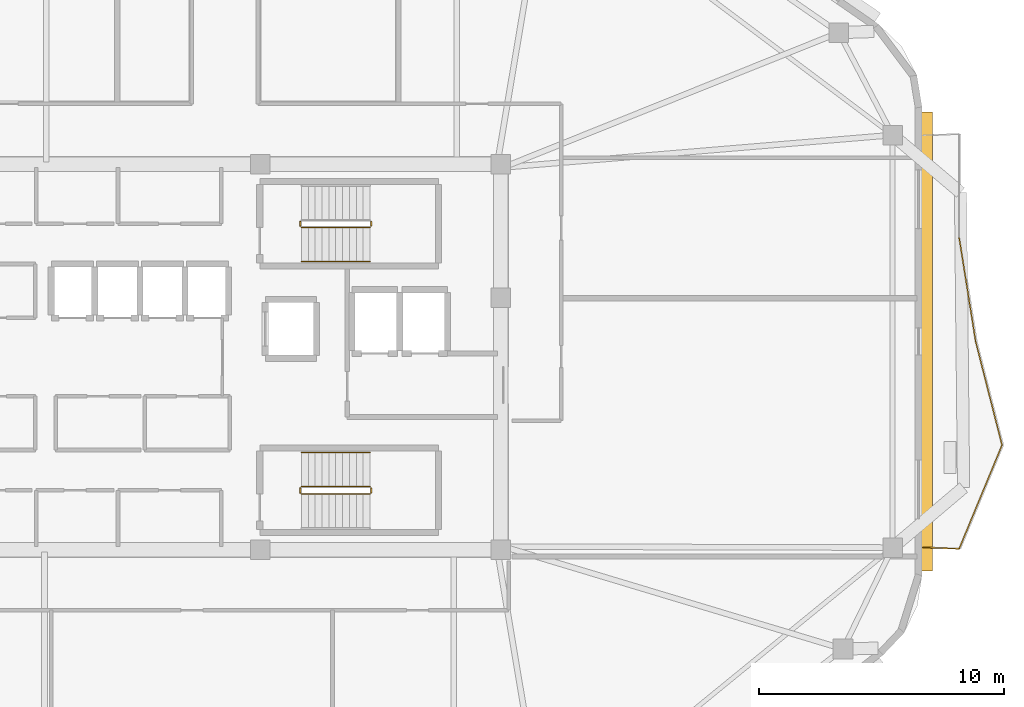
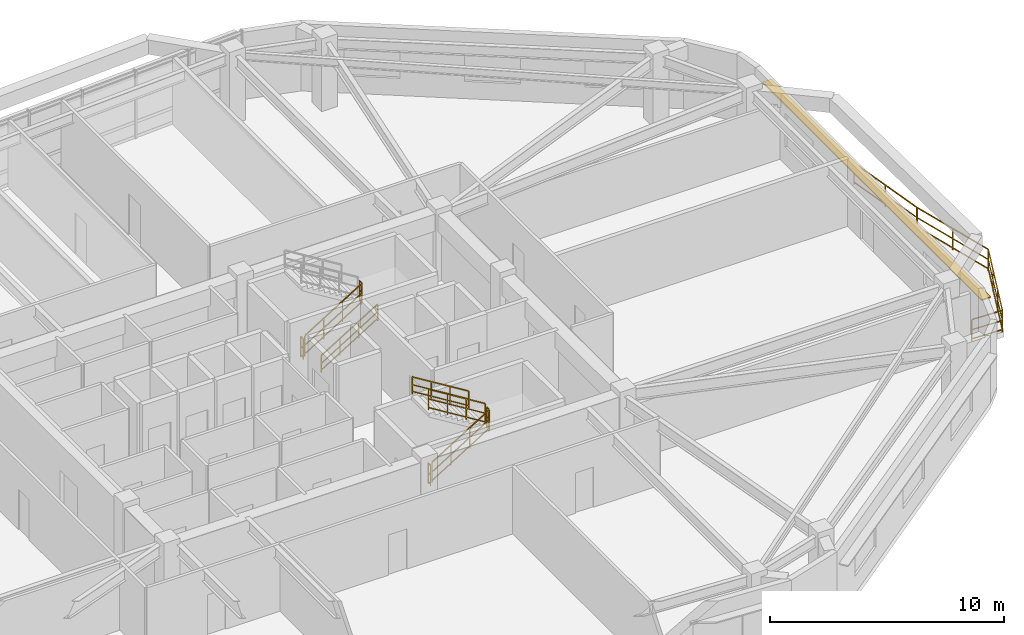
# One storey, part 11 of 12: 13 railings, 1 shading device.
"""IFC4 building model written with IfcOpenShell, lengths in metres."""

from ifc_helpers import new_model, si_unit, direction, frame, origin, origin_2d, place, context, subcontext, project, spatial, rectangle, extrude, material, layer, layer_set, type_object, element, save


model = new_model("IFC4")

# Units and contexts
model_context = context("Model", 3, precision=1e-05, world=origin(), true_north=direction((0.0, 1.0)))
body_context = subcontext(model_context, "Body", "Model", "MODEL_VIEW")
ifc_project = project(units=[si_unit("LENGTHUNIT", "METRE"), si_unit("AREAUNIT", "SQUARE_METRE"), si_unit("VOLUMEUNIT", "CUBIC_METRE"), si_unit("PLANEANGLEUNIT", "RADIAN"), si_unit("MASSUNIT", "GRAM", prefix="KILO")], contexts=[model_context])

# Site, building, storey
site_placement = place(None, origin())
site = spatial("IfcSite", under=ifc_project, at=site_placement, CompositionType="ELEMENT")
building_placement = place(site_placement, origin())
building = spatial("IfcBuilding", under=site, at=building_placement, Name="Zulverin Broadcast Headquarters", CompositionType="ELEMENT")
storey_placement = place(building_placement, frame((0.0, 0.0, 240.199951171875)))
storey = spatial("IfcBuildingStorey", under=building, at=storey_placement, Name="L61", CompositionType="ELEMENT", Elevation=240.199951171875)

# Railings
ifc_material_1 = material(Name="Brushed stainless steel & laminated glass balustrade", Category="steel")
railing_type_1 = type_object("IfcRailingType", Name="RL-GUARD-1150", PredefinedType="GUARDRAIL", material=ifc_material_1)
railing_1_placement = place(storey_placement, frame((65.5400390625, 17.417724609375, 0.0)))
element("IfcRailing", 1, at=railing_1_placement, inside=storey, type_object=railing_type_1, Name="L61 Vertical-Forest Balcony Guardrail BAL_E Segment 01", PredefinedType="GUARDRAIL", context=body_context, shape_type="SweptSolid", body=[
    extrude(rectangle(XDim=0.048095703125, YDim=0.048095703125, at=origin_2d()), frame((0.0, 0.0, 1.1259765625), z_axis=(0.99918088253, -0.040466825742, 0.0), x_axis=(0.040466825742, 0.99918088253, 0.0)), (0.0, 0.0, 1.0), 1.466064453125),
    extrude(rectangle(XDim=0.0419921875, YDim=0.0419921875, at=origin_2d()), frame((0.0, 0.0, 0.597900390625), z_axis=(0.99918088253, -0.040466825742, 0.0), x_axis=(0.040466825742, 0.99918088253, 0.0)), (0.0, 0.0, 1.0), 1.466064453125),
    extrude(rectangle(XDim=0.0419921875, YDim=0.0419921875, at=origin_2d()), frame((0.0, 0.0, 0.1201171875), z_axis=(0.99918088253, -0.040466825742, 0.0), x_axis=(0.040466825742, 0.99918088253, 0.0)), (0.0, 0.0, 1.0), 1.466064453125),
    extrude(rectangle(XDim=0.0419921875, YDim=0.0419921875, at=origin_2d()), origin(), (0.0, 0.0, 1.0), 1.101806640625),
    extrude(rectangle(XDim=0.0419921875, YDim=0.0419921875, at=origin_2d()), frame((1.46484375, -0.059326171875, 0.0)), (0.0, 0.0, 1.0), 1.101806640625),
])
railing_2_placement = place(storey_placement, frame((67.025634765625, 17.37158203125, 0.0)))
element("IfcRailing", 2, at=railing_2_placement, inside=storey, type_object=railing_type_1, Name="L61 Vertical-Forest Balcony Guardrail BAL_E Segment 02", PredefinedType="GUARDRAIL", context=body_context, shape_type="SweptSolid", body=[
    extrude(rectangle(XDim=0.048095703125, YDim=0.048095703125, at=origin_2d()), frame((0.0, 0.0, 1.1259765625), z_axis=(0.382146875337, 0.924101599214, 0.0), x_axis=(-0.924101599214, 0.382146875337, 0.0)), (0.0, 0.0, 1.0), 4.560302734375),
    extrude(rectangle(XDim=0.0419921875, YDim=0.0419921875, at=origin_2d()), frame((0.0, 0.0, 0.597900390625), z_axis=(0.382146875337, 0.924101599214, 0.0), x_axis=(-0.924101599214, 0.382146875337, 0.0)), (0.0, 0.0, 1.0), 4.560302734375),
    extrude(rectangle(XDim=0.0419921875, YDim=0.0419921875, at=origin_2d()), frame((0.0, 0.0, 0.1201171875), z_axis=(0.382146875337, 0.924101599214, 0.0), x_axis=(-0.924101599214, 0.382146875337, 0.0)), (0.0, 0.0, 1.0), 4.560302734375),
    extrude(rectangle(XDim=0.0419921875, YDim=0.0419921875, at=origin_2d()), origin(), (0.0, 0.0, 1.0), 1.101806640625),
    extrude(rectangle(XDim=0.0419921875, YDim=0.0419921875, at=origin_2d()), frame((0.580810546875, 1.40478515625, 0.0)), (0.0, 0.0, 1.0), 1.101806640625),
    extrude(rectangle(XDim=0.0419921875, YDim=0.0419921875, at=origin_2d()), frame((1.161865234375, 2.809326171875, 0.0)), (0.0, 0.0, 1.0), 1.101806640625),
    extrude(rectangle(XDim=0.0419921875, YDim=0.0419921875, at=origin_2d()), frame((1.74267578125, 4.214111328125, 0.0)), (0.0, 0.0, 1.0), 1.101806640625),
])
railing_3_placement = place(storey_placement, frame((68.770263671875, 21.6142578125, 0.0)))
element("IfcRailing", 3, at=railing_3_placement, inside=storey, type_object=railing_type_1, Name="L61 Vertical-Forest Balcony Guardrail BAL_E Segment 03", PredefinedType="GUARDRAIL", context=body_context, shape_type="SweptSolid", body=[
    extrude(rectangle(XDim=0.048095703125, YDim=0.048095703125, at=origin_2d()), frame((0.0, 0.0, 1.1259765625), z_axis=(-0.246867222297, 0.969049314821, 0.0), x_axis=(-0.969049314821, -0.246867222297, 0.0)), (0.0, 0.0, 1.0), 4.347412109375),
    extrude(rectangle(XDim=0.0419921875, YDim=0.0419921875, at=origin_2d()), frame((0.0, 0.0, 0.597900390625), z_axis=(-0.246867222297, 0.969049314821, 0.0), x_axis=(-0.969049314821, -0.246867222297, 0.0)), (0.0, 0.0, 1.0), 4.347412109375),
    extrude(rectangle(XDim=0.0419921875, YDim=0.0419921875, at=origin_2d()), frame((0.0, 0.0, 0.1201171875), z_axis=(-0.246867222297, 0.969049314821, 0.0), x_axis=(-0.969049314821, -0.246867222297, 0.0)), (0.0, 0.0, 1.0), 4.347412109375),
    extrude(rectangle(XDim=0.0419921875, YDim=0.0419921875, at=origin_2d()), origin(), (0.0, 0.0, 1.0), 1.101806640625),
    extrude(rectangle(XDim=0.0419921875, YDim=0.0419921875, at=origin_2d()), frame((-0.53662109375, 2.1064453125, 0.0)), (0.0, 0.0, 1.0), 1.101806640625),
    extrude(rectangle(XDim=0.0419921875, YDim=0.0419921875, at=origin_2d()), frame((-1.0732421875, 4.212890625, 0.0)), (0.0, 0.0, 1.0), 1.101806640625),
])
railing_4_placement = place(storey_placement, frame((67.69091796875, 25.8564453125, 0.0)))
element("IfcRailing", 4, at=railing_4_placement, inside=storey, type_object=railing_type_1, Name="L61 Vertical-Forest Balcony Guardrail BAL_E Segment 04", PredefinedType="GUARDRAIL", context=body_context, shape_type="SweptSolid", body=[
    extrude(rectangle(XDim=0.048095703125, YDim=0.048095703125, at=origin_2d()), frame((0.0, 0.0, 1.1259765625), z_axis=(-0.156726775969, 0.98764199875, 0.0), x_axis=(-0.98764199875, -0.156726775969, 0.0)), (0.0, 0.0, 1.0), 4.26513671875),
    extrude(rectangle(XDim=0.0419921875, YDim=0.0419921875, at=origin_2d()), frame((0.0, 0.0, 0.597900390625), z_axis=(-0.156726775969, 0.98764199875, 0.0), x_axis=(-0.98764199875, -0.156726775969, 0.0)), (0.0, 0.0, 1.0), 4.26513671875),
    extrude(rectangle(XDim=0.0419921875, YDim=0.0419921875, at=origin_2d()), frame((0.0, 0.0, 0.1201171875), z_axis=(-0.156726775969, 0.98764199875, 0.0), x_axis=(-0.98764199875, -0.156726775969, 0.0)), (0.0, 0.0, 1.0), 4.26513671875),
    extrude(rectangle(XDim=0.0419921875, YDim=0.0419921875, at=origin_2d()), origin(), (0.0, 0.0, 1.0), 1.101806640625),
    extrude(rectangle(XDim=0.0419921875, YDim=0.0419921875, at=origin_2d()), frame((-0.334228515625, 2.106201171875, 0.0)), (0.0, 0.0, 1.0), 1.101806640625),
    extrude(rectangle(XDim=0.0419921875, YDim=0.0419921875, at=origin_2d()), frame((-0.66845703125, 4.21240234375, 0.0)), (0.0, 0.0, 1.0), 1.101806640625),
])
ifc_material_2 = material(Name="Painted galvanized steel tubular guardrail S355JR", Category="steel")
railing_type_2 = type_object("IfcRailingType", Name="RL-ST-GUARD", PredefinedType="GUARDRAIL", material=ifc_material_2)
railing_5_placement = place(storey_placement, frame((40.1298828125, 30.5, 0.1728515625)))
element("IfcRailing", 5, at=railing_5_placement, inside=storey, type_object=railing_type_2, Name="L61 ST-1 stair guard 1", PredefinedType="GUARDRAIL", context=body_context, shape_type="SweptSolid", body=[
    extrude(rectangle(XDim=0.048095703125, YDim=0.048095703125, at=origin_2d()), frame((0.0, 0.0, 1.076171875), z_axis=(0.851089632645, 0.0, 0.525020415988), x_axis=(0.0, 1.0, 0.0)), (0.0, 0.0, 1.0), 3.2900390625),
    extrude(rectangle(XDim=0.0419921875, YDim=0.0419921875, at=origin_2d()), frame((0.0, 0.0, 0.572021484375), z_axis=(0.851089632645, 0.0, 0.525020415988), x_axis=(0.0, 1.0, 0.0)), (0.0, 0.0, 1.0), 3.2900390625),
    extrude(rectangle(XDim=0.0419921875, YDim=0.0419921875, at=origin_2d()), frame((0.0, 0.0, 0.1201171875), z_axis=(0.851089632645, 0.0, 0.525020415988), x_axis=(0.0, 1.0, 0.0)), (0.0, 0.0, 1.0), 3.2900390625),
    extrude(rectangle(XDim=0.0419921875, YDim=0.0419921875, at=origin_2d()), origin(), (0.0, 0.0, 1.0), 1.052001953125),
    extrude(rectangle(XDim=0.0419921875, YDim=0.0419921875, at=origin_2d()), frame((0.933349609375, 0.0, 0.57568359375)), (0.0, 0.0, 1.0), 1.052001953125),
    extrude(rectangle(XDim=0.0419921875, YDim=0.0419921875, at=origin_2d()), frame((1.86669921875, 0.0, 1.151611328125)), (0.0, 0.0, 1.0), 1.052001953125),
    extrude(rectangle(XDim=0.0419921875, YDim=0.0419921875, at=origin_2d()), frame((2.800048828125, 0.0, 1.727294921875)), (0.0, 0.0, 1.0), 1.052001953125),
])
for number, where, name in (
    (6, (42.97998046875, 30.550048828125, 1.900146484375), "L61 ST-1 stair guard 2"),
    (7, (40.080078125, 30.550048828125, 0.0), "L61 ST-1 stair guard 4"),
):
    element("IfcRailing", number, at=place(storey_placement, frame(where)), inside=storey, type_object=railing_type_2, Name=name, PredefinedType="GUARDRAIL", context=body_context, shape_type="SweptSolid", body=[
        extrude(rectangle(XDim=0.048095703125, YDim=0.048095703125, at=origin_2d()), frame((0.0, 0.0, 1.076171875), z_axis=(0.0, 1.0, 0.0), x_axis=(-1.0, 0.0, 0.0)), (0.0, 0.0, 1.0), 0.199951171875),
        extrude(rectangle(XDim=0.0419921875, YDim=0.0419921875, at=origin_2d()), frame((0.0, 0.0, 0.572021484375), z_axis=(0.0, 1.0, 0.0), x_axis=(-1.0, 0.0, 0.0)), (0.0, 0.0, 1.0), 0.199951171875),
        extrude(rectangle(XDim=0.0419921875, YDim=0.0419921875, at=origin_2d()), frame((0.0, 0.0, 0.1201171875), z_axis=(0.0, 1.0, 0.0), x_axis=(-1.0, 0.0, 0.0)), (0.0, 0.0, 1.0), 0.199951171875),
        extrude(rectangle(XDim=0.0419921875, YDim=0.0419921875, at=origin_2d()), origin(), (0.0, 0.0, 1.0), 1.052001953125),
        extrude(rectangle(XDim=0.0419921875, YDim=0.0419921875, at=origin_2d()), frame((0.0, 0.199951171875, 0.0)), (0.0, 0.0, 1.0), 1.052001953125),
    ])
railing_6_placement = place(storey_placement, frame((40.1298828125, 19.60009765625, 0.1728515625)))
element("IfcRailing", 8, at=railing_6_placement, inside=storey, type_object=railing_type_2, Name="L61 ST-2 stair guard 1", PredefinedType="GUARDRAIL", context=body_context, shape_type="SweptSolid", body=[
    extrude(rectangle(XDim=0.048095703125, YDim=0.048095703125, at=origin_2d()), frame((0.0, 0.0, 1.076171875), z_axis=(0.851089632645, 0.0, 0.525020415988), x_axis=(0.0, 1.0, 0.0)), (0.0, 0.0, 1.0), 3.2900390625),
    extrude(rectangle(XDim=0.0419921875, YDim=0.0419921875, at=origin_2d()), frame((0.0, 0.0, 0.572021484375), z_axis=(0.851089632645, 0.0, 0.525020415988), x_axis=(0.0, 1.0, 0.0)), (0.0, 0.0, 1.0), 3.2900390625),
    extrude(rectangle(XDim=0.0419921875, YDim=0.0419921875, at=origin_2d()), frame((0.0, 0.0, 0.1201171875), z_axis=(0.851089632645, 0.0, 0.525020415988), x_axis=(0.0, 1.0, 0.0)), (0.0, 0.0, 1.0), 3.2900390625),
    extrude(rectangle(XDim=0.0419921875, YDim=0.0419921875, at=origin_2d()), origin(), (0.0, 0.0, 1.0), 1.052001953125),
    extrude(rectangle(XDim=0.0419921875, YDim=0.0419921875, at=origin_2d()), frame((0.933349609375, 0.0, 0.57568359375)), (0.0, 0.0, 1.0), 1.052001953125),
    extrude(rectangle(XDim=0.0419921875, YDim=0.0419921875, at=origin_2d()), frame((1.86669921875, 0.0, 1.151611328125)), (0.0, 0.0, 1.0), 1.052001953125),
    extrude(rectangle(XDim=0.0419921875, YDim=0.0419921875, at=origin_2d()), frame((2.800048828125, 0.0, 1.727294921875)), (0.0, 0.0, 1.0), 1.052001953125),
])
railing_7_placement = place(storey_placement, frame((42.97998046875, 19.64990234375, 1.900146484375)))
element("IfcRailing", 9, at=railing_7_placement, inside=storey, type_object=railing_type_2, Name="L61 ST-2 stair guard 2", PredefinedType="GUARDRAIL", context=body_context, shape_type="SweptSolid", body=[
    extrude(rectangle(XDim=0.048095703125, YDim=0.048095703125, at=origin_2d()), frame((0.0, 0.0, 1.076171875), z_axis=(0.0, 1.0, 0.0), x_axis=(-1.0, 0.0, 0.0)), (0.0, 0.0, 1.0), 0.2001953125),
    extrude(rectangle(XDim=0.0419921875, YDim=0.0419921875, at=origin_2d()), frame((0.0, 0.0, 0.572021484375), z_axis=(0.0, 1.0, 0.0), x_axis=(-1.0, 0.0, 0.0)), (0.0, 0.0, 1.0), 0.2001953125),
    extrude(rectangle(XDim=0.0419921875, YDim=0.0419921875, at=origin_2d()), frame((0.0, 0.0, 0.1201171875), z_axis=(0.0, 1.0, 0.0), x_axis=(-1.0, 0.0, 0.0)), (0.0, 0.0, 1.0), 0.2001953125),
    extrude(rectangle(XDim=0.0419921875, YDim=0.0419921875, at=origin_2d()), origin(), (0.0, 0.0, 1.0), 1.052001953125),
    extrude(rectangle(XDim=0.0419921875, YDim=0.0419921875, at=origin_2d()), frame((0.0, 0.2001953125, 0.0)), (0.0, 0.0, 1.0), 1.052001953125),
])
railing_8_placement = place(storey_placement, frame((42.929931640625, 19.89990234375, 2.07275390625)))
element("IfcRailing", 10, at=railing_8_placement, inside=storey, type_object=railing_type_2, Name="L61 ST-2 stair guard 3", PredefinedType="GUARDRAIL", context=body_context, shape_type="SweptSolid", body=[
    extrude(rectangle(XDim=0.048095703125, YDim=0.048095703125, at=origin_2d()), frame((0.0, 0.0, 1.076171875), z_axis=(-0.851089632645, 0.0, 0.525020415988), x_axis=(0.0, -1.0, 0.0)), (0.0, 0.0, 1.0), 3.2900390625),
    extrude(rectangle(XDim=0.0419921875, YDim=0.0419921875, at=origin_2d()), frame((0.0, 0.0, 0.572021484375), z_axis=(-0.851089632645, 0.0, 0.525020415988), x_axis=(0.0, -1.0, 0.0)), (0.0, 0.0, 1.0), 3.2900390625),
    extrude(rectangle(XDim=0.0419921875, YDim=0.0419921875, at=origin_2d()), frame((0.0, 0.0, 0.1201171875), z_axis=(-0.851089632645, 0.0, 0.525020415988), x_axis=(0.0, -1.0, 0.0)), (0.0, 0.0, 1.0), 3.2900390625),
    extrude(rectangle(XDim=0.0419921875, YDim=0.0419921875, at=origin_2d()), origin(), (0.0, 0.0, 1.0), 1.052001953125),
    extrude(rectangle(XDim=0.0419921875, YDim=0.0419921875, at=origin_2d()), frame((-0.933349609375, 0.0, 0.57568359375)), (0.0, 0.0, 1.0), 1.052001953125),
    extrude(rectangle(XDim=0.0419921875, YDim=0.0419921875, at=origin_2d()), frame((-1.86669921875, 0.0, 1.151611328125)), (0.0, 0.0, 1.0), 1.052001953125),
    extrude(rectangle(XDim=0.0419921875, YDim=0.0419921875, at=origin_2d()), frame((-2.800048828125, 0.0, 1.727294921875)), (0.0, 0.0, 1.0), 1.052001953125),
])
railing_9_placement = place(storey_placement, frame((40.080078125, 19.64990234375, 0.0)))
element("IfcRailing", 11, at=railing_9_placement, inside=storey, type_object=railing_type_2, Name="L61 ST-2 stair guard 4", PredefinedType="GUARDRAIL", context=body_context, shape_type="SweptSolid", body=[
    extrude(rectangle(XDim=0.048095703125, YDim=0.048095703125, at=origin_2d()), frame((0.0, 0.0, 1.076171875), z_axis=(0.0, 1.0, 0.0), x_axis=(-1.0, 0.0, 0.0)), (0.0, 0.0, 1.0), 0.2001953125),
    extrude(rectangle(XDim=0.0419921875, YDim=0.0419921875, at=origin_2d()), frame((0.0, 0.0, 0.572021484375), z_axis=(0.0, 1.0, 0.0), x_axis=(-1.0, 0.0, 0.0)), (0.0, 0.0, 1.0), 0.2001953125),
    extrude(rectangle(XDim=0.0419921875, YDim=0.0419921875, at=origin_2d()), frame((0.0, 0.0, 0.1201171875), z_axis=(0.0, 1.0, 0.0), x_axis=(-1.0, 0.0, 0.0)), (0.0, 0.0, 1.0), 0.2001953125),
    extrude(rectangle(XDim=0.0419921875, YDim=0.0419921875, at=origin_2d()), origin(), (0.0, 0.0, 1.0), 1.052001953125),
    extrude(rectangle(XDim=0.0419921875, YDim=0.0419921875, at=origin_2d()), frame((0.0, 0.2001953125, 0.0)), (0.0, 0.0, 1.0), 1.052001953125),
])
ifc_material_3 = material(Name="Brushed stainless steel 48 mm handrail", Category="steel")
railing_type_3 = type_object("IfcRailingType", Name="RL-ST-HAND", PredefinedType="HANDRAIL", material=ifc_material_3)
railing_10_placement = place(storey_placement, frame((40.1298828125, 29.10009765625, 0.1728515625)))
element("IfcRailing", 12, at=railing_10_placement, inside=storey, type_object=railing_type_3, Name="L61 ST-1 stair handrail 1", PredefinedType="HANDRAIL", context=body_context, shape_type="SweptSolid", body=[
    extrude(rectangle(XDim=0.048095703125, YDim=0.048095703125, at=origin_2d()), frame((0.0, 0.0, 0.8759765625), z_axis=(0.851089632645, 0.0, 0.525020415988), x_axis=(0.0, 1.0, 0.0)), (0.0, 0.0, 1.0), 3.2900390625),
    extrude(rectangle(XDim=0.0419921875, YDim=0.0419921875, at=origin_2d()), frame((0.0, 0.0, 0.468017578125), z_axis=(0.851089632645, 0.0, 0.525020415988), x_axis=(0.0, 1.0, 0.0)), (0.0, 0.0, 1.0), 3.2900390625),
    extrude(rectangle(XDim=0.0419921875, YDim=0.0419921875, at=origin_2d()), frame((0.0, 0.0, 0.1201171875), z_axis=(0.851089632645, 0.0, 0.525020415988), x_axis=(0.0, 1.0, 0.0)), (0.0, 0.0, 1.0), 3.2900390625),
    extrude(rectangle(XDim=0.0419921875, YDim=0.0419921875, at=origin_2d()), origin(), (0.0, 0.0, 1.0), 0.851806640625),
    extrude(rectangle(XDim=0.0419921875, YDim=0.0419921875, at=origin_2d()), frame((0.933349609375, 0.0, 0.57568359375)), (0.0, 0.0, 1.0), 0.851806640625),
    extrude(rectangle(XDim=0.0419921875, YDim=0.0419921875, at=origin_2d()), frame((1.86669921875, 0.0, 1.151611328125)), (0.0, 0.0, 1.0), 0.851806640625),
    extrude(rectangle(XDim=0.0419921875, YDim=0.0419921875, at=origin_2d()), frame((2.800048828125, 0.0, 1.727294921875)), (0.0, 0.0, 1.0), 0.851806640625),
])
railing_11_placement = place(storey_placement, frame((42.929931640625, 21.300048828125, 2.07275390625)))
element("IfcRailing", 13, at=railing_11_placement, inside=storey, type_object=railing_type_3, Name="L61 ST-2 stair handrail 2", PredefinedType="HANDRAIL", context=body_context, shape_type="SweptSolid", body=[
    extrude(rectangle(XDim=0.048095703125, YDim=0.048095703125, at=origin_2d()), frame((0.0, 0.0, 0.8759765625), z_axis=(-0.851089632645, 0.0, 0.525020415988), x_axis=(0.0, -1.0, 0.0)), (0.0, 0.0, 1.0), 3.2900390625),
    extrude(rectangle(XDim=0.0419921875, YDim=0.0419921875, at=origin_2d()), frame((0.0, 0.0, 0.468017578125), z_axis=(-0.851089632645, 0.0, 0.525020415988), x_axis=(0.0, -1.0, 0.0)), (0.0, 0.0, 1.0), 3.2900390625),
    extrude(rectangle(XDim=0.0419921875, YDim=0.0419921875, at=origin_2d()), frame((0.0, 0.0, 0.1201171875), z_axis=(-0.851089632645, 0.0, 0.525020415988), x_axis=(0.0, -1.0, 0.0)), (0.0, 0.0, 1.0), 3.2900390625),
    extrude(rectangle(XDim=0.0419921875, YDim=0.0419921875, at=origin_2d()), origin(), (0.0, 0.0, 1.0), 0.851806640625),
    extrude(rectangle(XDim=0.0419921875, YDim=0.0419921875, at=origin_2d()), frame((-0.933349609375, 0.0, 0.57568359375)), (0.0, 0.0, 1.0), 0.851806640625),
    extrude(rectangle(XDim=0.0419921875, YDim=0.0419921875, at=origin_2d()), frame((-1.86669921875, 0.0, 1.151611328125)), (0.0, 0.0, 1.0), 0.851806640625),
    extrude(rectangle(XDim=0.0419921875, YDim=0.0419921875, at=origin_2d()), frame((-2.800048828125, 0.0, 1.727294921875)), (0.0, 0.0, 1.0), 0.851806640625),
])

# Shading device
ifc_material_4 = material(Name="Anodized pale-metal aluminium sunshade", Category="aluminium")
ifc_layer = layer(ifc_material_4, 0.06005859375, Name="Anodized pale-metal aluminium sunshade", Category="aluminium")
ifc_layer_set = layer_set([ifc_layer], Name="Anodized pale-metal aluminium sunshade")
shading_device_type = type_object("IfcShadingDeviceType", Name="SS-01_PALE_METAL_ALUMINIUM_SUNSHADE", PredefinedType="USERDEFINED", material=ifc_layer_set)
shading_device_placement = place(storey_placement, frame((65.699951171875, 25.841796875, 2.7099609375), z_axis=(0.0, 0.0, 1.0), x_axis=(0.0, 1.0, 0.0)))
element("IfcShadingDevice", 14, at=shading_device_placement, inside=storey, type_object=shading_device_type, Name="L61 Horizontal Pale-Metal Sunshade Band 3", ObjectType="SUNSHADE", PredefinedType="USERDEFINED", context=body_context, shape_type="SweptSolid", body=[
    extrude(rectangle(XDim=18.76806640625, YDim=0.449951171875, at=origin_2d()), origin(), (0.0, 0.0, 1.0), 0.06005859375),
])

save(model, "model.ifc")
